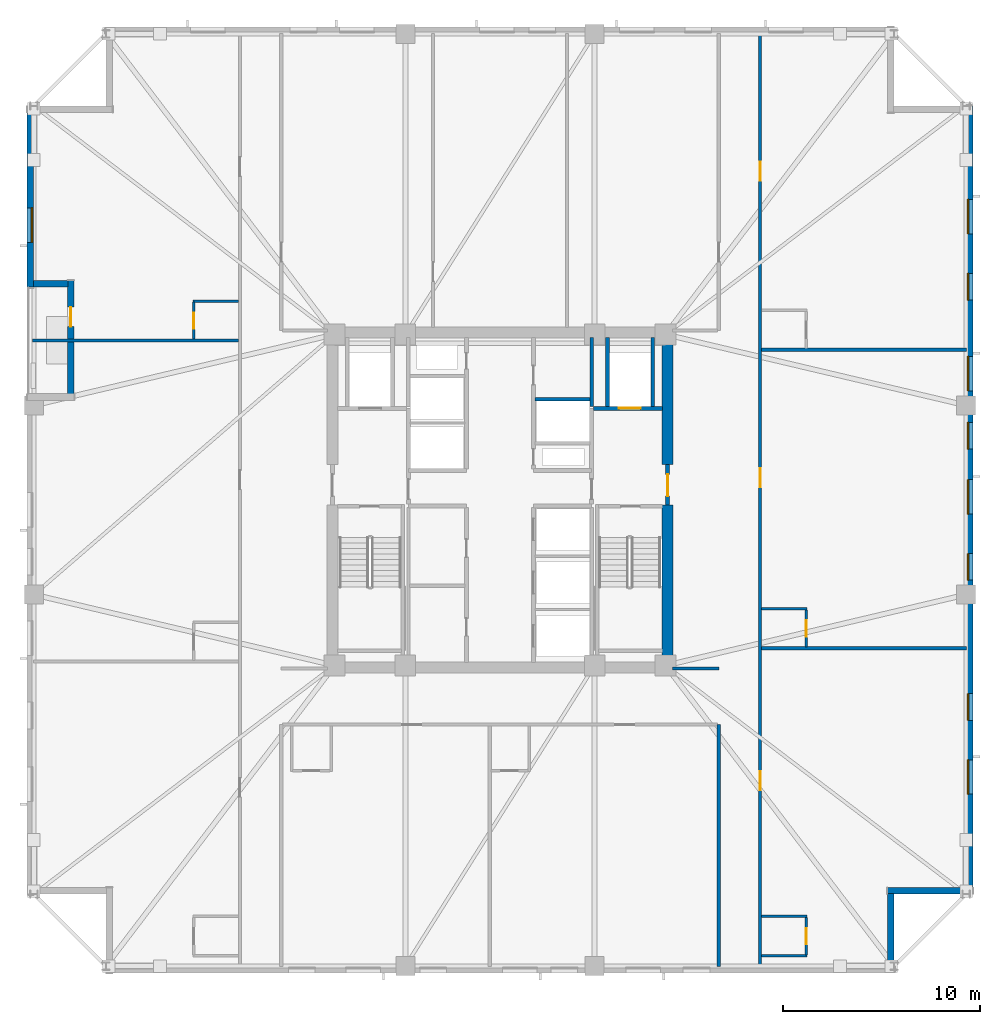
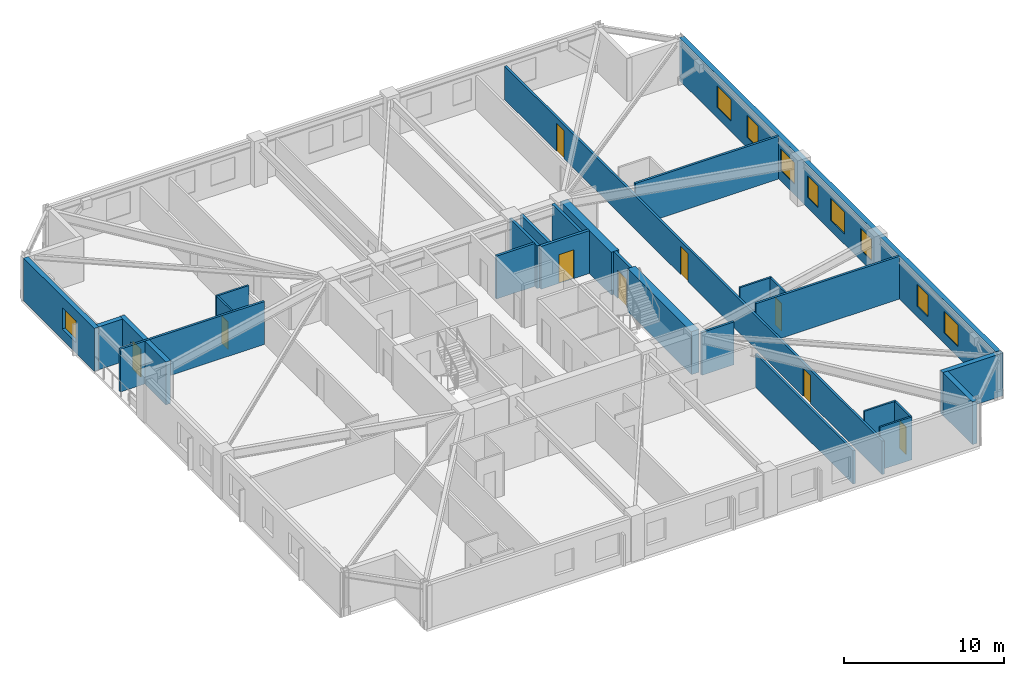
# One storey, part 4 of 10: 27 walls, 9 doors, 9 windows, 18 openings.
"""IFC4 building model written with IfcOpenShell, lengths in metres."""

from ifc_helpers import new_model, si_unit, direction, frame, frame_2d, origin, place, context, subcontext, project, spatial, rectangle, extrude, material, layer, layer_set, type_object, element, fill, save


model = new_model("IFC4")

# Units and contexts
model_context = context("Model", 3, precision=1e-05, world=origin(), true_north=direction((0.0, 1.0)))
body_context = subcontext(model_context, "Body", "Model", "MODEL_VIEW")
ifc_project = project(units=[si_unit("LENGTHUNIT", "METRE"), si_unit("AREAUNIT", "SQUARE_METRE"), si_unit("VOLUMEUNIT", "CUBIC_METRE"), si_unit("PLANEANGLEUNIT", "RADIAN"), si_unit("MASSUNIT", "GRAM", prefix="KILO")], contexts=[model_context])

# Site, building, storey
site_placement = place(None, origin())
site = spatial("IfcSite", under=ifc_project, at=site_placement, CompositionType="ELEMENT")
building_placement = place(site_placement, origin())
building = spatial("IfcBuilding", under=site, at=building_placement, Name="Cairnveth Concourse Tower", CompositionType="ELEMENT")
storey_placement = place(building_placement, frame((0.0, 0.0, 109.5)))
storey = spatial("IfcBuildingStorey", under=building, at=storey_placement, Name="L29", CompositionType="ELEMENT", Elevation=109.5)

# Wall, openings, doors
ifc_material_1 = material(Name="Gypsum Plasterboard Partition", Category="gypsum")
ifc_layer_1 = layer(ifc_material_1, 0.159912109375)
ifc_layer_set_1 = layer_set([ifc_layer_1], Name="Gypsum Plasterboard Partition")
wall_type_1 = type_object("IfcWallType", Name="ACOUSTIC PARTY WALL 180", PredefinedType="PARTITIONING", material=ifc_layer_set_1)
wall_1_placement = place(storey_placement, frame((65.199951171875, 15.324951171875, 0.0), z_axis=(0.0, 0.0, 1.0), x_axis=(0.0, 1.0, 0.0)))
wall_1 = element("IfcWall", 1, at=wall_1_placement, inside=storey, type_object=wall_type_1, Name="Interior Wall IW-L29-041", PredefinedType="PARTITIONING", context=body_context, shape_type="SweptSolid", body=[
    extrude(rectangle(XDim=47.35009765625, YDim=0.159912109375, at=frame_2d((23.675048828125, 0.0))), origin(), (0.0, 0.0, 1.0), 2.554931640625),
])
opening_1_placement = place(wall_1_placement, frame((8.944091796875, 0.0, 0.0)))
opening_1 = element("IfcOpeningElement", 2, at=opening_1_placement, cuts=wall_1, Name="Opening ID09", PredefinedType="OPENING", context=body_context, shape_type="SweptSolid", body=[
    extrude(rectangle(XDim=0.9599609375, YDim=2.14990234375, at=frame_2d((0.47998046875, 1.074951171875))), frame((0.0, 0.08984375, 0.0), z_axis=(0.0, -1.0, 0.0), x_axis=(1.0, 0.0, 0.0)), (0.0, 0.0, 1.0), 0.179931640625),
])
opening_2_placement = place(wall_1_placement, frame((24.322021484375, 0.0, 0.0)))
opening_2 = element("IfcOpeningElement", 3, at=opening_2_placement, cuts=wall_1, Name="Opening ID09", PredefinedType="OPENING", context=body_context, shape_type="SweptSolid", body=[
    extrude(rectangle(XDim=0.9599609375, YDim=2.14990234375, at=frame_2d((0.47998046875, 1.074951171875))), frame((0.0, 0.08984375, 0.0), z_axis=(0.0, -1.0, 0.0), x_axis=(1.0, 0.0, 0.0)), (0.0, 0.0, 1.0), 0.179931640625),
])
opening_3_placement = place(wall_1_placement, frame((39.873046875, 0.0, 0.0)))
opening_3 = element("IfcOpeningElement", 4, at=opening_3_placement, cuts=wall_1, Name="Opening ID09", PredefinedType="OPENING", context=body_context, shape_type="SweptSolid", body=[
    extrude(rectangle(XDim=0.9599609375, YDim=2.14990234375, at=frame_2d((0.47998046875, 1.074951171875))), frame((0.0, 0.08984375, 0.0), z_axis=(0.0, -1.0, 0.0), x_axis=(1.0, 0.0, 0.0)), (0.0, 0.0, 1.0), 0.179931640625),
])
ifc_material_2 = material(Name="Solid Core Hardwood Timber Leaf", Category="wood")
door_type_1 = type_object("IfcDoorType", Name="HOTEL ENTRANCE DOOR 960X2150", OperationType="NOTDEFINED", PredefinedType="DOOR", material=ifc_material_2)
door_1_placement = place(opening_1_placement, origin())
door_1 = element("IfcDoor", 5, at=door_1_placement, inside=storey, type_object=door_type_1, Name="Hotel Room Door L29-E1", OperationType="SINGLE_SWING_LEFT", OverallHeight=2.14990234375, OverallWidth=0.9599609375, PredefinedType="DOOR", context=body_context, shape_type="SweptSolid", body=[
    extrude(rectangle(XDim=0.9599609375, YDim=2.14990234375, at=frame_2d((0.47998046875, 1.074951171875))), frame((0.0, 0.02490234375, 0.0), z_axis=(0.0, -1.0, 0.0), x_axis=(1.0, 0.0, 0.0)), (0.0, 0.0, 1.0), 0.050048828125),
])
fill(opening_1, door_1)
door_2_placement = place(opening_2_placement, origin())
door_2 = element("IfcDoor", 6, at=door_2_placement, inside=storey, type_object=door_type_1, Name="Hotel Room Door L29-E2", OperationType="SINGLE_SWING_LEFT", OverallHeight=2.14990234375, OverallWidth=0.9599609375, PredefinedType="DOOR", context=body_context, shape_type="SweptSolid", body=[
    extrude(rectangle(XDim=0.9599609375, YDim=2.14990234375, at=frame_2d((0.47998046875, 1.074951171875))), frame((0.0, 0.02490234375, 0.0), z_axis=(0.0, -1.0, 0.0), x_axis=(1.0, 0.0, 0.0)), (0.0, 0.0, 1.0), 0.050048828125),
])
fill(opening_2, door_2)
door_3_placement = place(opening_3_placement, origin())
door_3 = element("IfcDoor", 7, at=door_3_placement, inside=storey, type_object=door_type_1, Name="Hotel Room Door L29-E3", OperationType="SINGLE_SWING_LEFT", OverallHeight=2.14990234375, OverallWidth=0.9599609375, PredefinedType="DOOR", context=body_context, shape_type="SweptSolid", body=[
    extrude(rectangle(XDim=0.9599609375, YDim=2.14990234375, at=frame_2d((0.47998046875, 1.074951171875))), frame((0.0, 0.02490234375, 0.0), z_axis=(0.0, -1.0, 0.0), x_axis=(1.0, 0.0, 0.0)), (0.0, 0.0, 1.0), 0.050048828125),
])
fill(opening_3, door_3)

# Walls
wall_2_placement = place(storey_placement, frame((63.10009765625, 15.324951171875, 0.0), z_axis=(0.0, 0.0, 1.0), x_axis=(0.0, 1.0, 0.0)))
element("IfcWall", 8, at=wall_2_placement, inside=storey, type_object=wall_type_1, Name="Interior Wall IW-L29-042", PredefinedType="PARTITIONING", context=body_context, shape_type="SweptSolid", body=[
    extrude(rectangle(XDim=12.275146484375, YDim=0.159912109375, at=frame_2d((6.1376953125, 0.0))), origin(), (0.0, 0.0, 1.0), 2.554931640625),
])
wall_3_placement = place(storey_placement, frame((60.764892578125, 30.449951171875, 0.0), z_axis=(0.0, 0.0, 1.0), x_axis=(1.0, 0.0, 0.0)))
element("IfcWall", 9, at=wall_3_placement, inside=storey, type_object=wall_type_1, Name="Interior Wall IW-L29-044", PredefinedType="PARTITIONING", context=body_context, shape_type="SweptSolid", body=[
    extrude(rectangle(XDim=2.335205078125, YDim=0.159912109375, at=frame_2d((1.16748046875, 0.0))), origin(), (0.0, 0.0, 1.0), 3.280029296875),
])
wall_4_placement = place(storey_placement, frame((28.27001953125, 47.093994140625, 0.0), z_axis=(0.0, 0.0, 1.0), x_axis=(1.0, 0.0, 0.0)))
element("IfcWall", 10, at=wall_4_placement, inside=storey, type_object=wall_type_1, Name="Interior Wall IW-L29-061", PredefinedType="PARTITIONING", context=body_context, shape_type="SweptSolid", body=[
    extrude(rectangle(XDim=10.449951171875, YDim=0.159912109375, at=frame_2d((5.22509765625, 0.0))), origin(), (0.0, 0.0, 1.0), 3.280029296875),
])
for number, where, z_axis, x_axis, name in (
    (11, (65.280029296875, 31.47802734375, 0.0), (0.0, 0.0, 1.0), (1.0, 0.0, 0.0), "Interior Wall IW-L29-067"),
    (12, (65.280029296875, 46.6259765625, 0.0), (0.0, 0.0, 1.0), (1.0, 0.0, 0.0), "Interior Wall IW-L29-070"),
):
    element("IfcWall", number, at=place(storey_placement, frame(where, z_axis=z_axis, x_axis=x_axis)), inside=storey, type_object=wall_type_1, Name=name, PredefinedType="PARTITIONING", context=body_context, shape_type="SweptSolid", body=[
        extrude(rectangle(XDim=10.39501953125, YDim=0.159912109375, at=frame_2d((5.197509765625, 0.0))), origin(), (0.0, 0.0, 1.0), 3.280029296875),
    ])
ifc_material_3 = material(Name="Concrete N80 (80 MPa)", Category="concrete")
ifc_layer_2 = layer(ifc_material_3, 0.550048828125)
ifc_layer_set_2 = layer_set([ifc_layer_2], Name="Concrete N80 (80 MPa)")
wall_type_2 = type_object("IfcWallType", Name="CORE SHEAR WALL 550", PredefinedType="SHEAR", material=ifc_layer_set_2)
wall_5_placement = place(storey_placement, frame((60.5, 30.764892578125, 0.0), z_axis=(0.0, 0.0, 1.0), x_axis=(0.0, 1.0, 0.0)))
element("IfcWall", 13, at=wall_5_placement, inside=storey, type_object=wall_type_2, Name="Core East Shear Wall S L29", PredefinedType="SHEAR", context=body_context, shape_type="SweptSolid", body=[
    extrude(rectangle(XDim=7.985107421875, YDim=0.550048828125, at=frame_2d((3.99267578125, 0.0))), origin(), (0.0, 0.0, 1.0), 3.280029296875),
])
wall_6_placement = place(storey_placement, frame((60.5, 40.800048828125, 0.0), z_axis=(0.0, 0.0, 1.0), x_axis=(0.0, 1.0, 0.0)))
element("IfcWall", 14, at=wall_6_placement, inside=storey, type_object=wall_type_2, Name="Core East Shear Wall N L29", PredefinedType="SHEAR", context=body_context, shape_type="SweptSolid", body=[
    extrude(rectangle(XDim=6.43505859375, YDim=0.550048828125, at=frame_2d((3.217529296875, 0.0))), origin(), (0.0, 0.0, 1.0), 3.280029296875),
])
ifc_material_4 = material(Name="Concrete N50 (50 MPa)", Category="concrete")
ifc_layer_3 = layer(ifc_material_4, 0.179931640625)
ifc_layer_set_3 = layer_set([ifc_layer_3], Name="Concrete N50 (50 MPa)")
wall_type_3 = type_object("IfcWallType", Name="FIRE SHAFT WALL 180", PredefinedType="SOLIDWALL", material=ifc_layer_set_3)
wall_7_placement = place(storey_placement, frame((56.64990234375, 43.735107421875, 0.0), z_axis=(0.0, 0.0, 1.0), x_axis=(0.0, 1.0, 0.0)))
element("IfcWall", 15, at=wall_7_placement, inside=storey, type_object=wall_type_3, Name="Interior Wall IW-L29-033", PredefinedType="SOLIDWALL", context=body_context, shape_type="SweptSolid", body=[
    extrude(rectangle(XDim=3.5048828125, YDim=0.179931640625, at=frame_2d((1.75244140625, 0.0))), origin(), (0.0, 0.0, 1.0), 3.280029296875),
])
wall_8_placement = place(storey_placement, frame((53.784912109375, 44.1201171875, 0.0), z_axis=(0.0, 0.0, 1.0), x_axis=(1.0, 0.0, 0.0)))
element("IfcWall", 16, at=wall_8_placement, inside=storey, type_object=wall_type_3, Name="Interior Wall IW-L29-035", PredefinedType="SOLIDWALL", context=body_context, shape_type="SweptSolid", body=[
    extrude(rectangle(XDim=2.7900390625, YDim=0.179931640625, at=frame_2d((1.39501953125, 0.0))), origin(), (0.0, 0.0, 1.0), 3.280029296875),
])

# Wall, opening, door
ifc_layer_4 = layer(ifc_material_4, 0.199951171875)
ifc_layer_set_4 = layer_set([ifc_layer_4], Name="Concrete N50 (50 MPa)")
wall_type_4 = type_object("IfcWallType", Name="FIRE SHAFT WALL 200", PredefinedType="SOLIDWALL", material=ifc_layer_set_4)
wall_9_placement = place(storey_placement, frame((60.5, 38.75, 0.0), z_axis=(0.0, 0.0, 1.0), x_axis=(0.0, 1.0, 0.0)))
wall_9 = element("IfcWall", 17, at=wall_9_placement, inside=storey, type_object=wall_type_4, Name="Interior Wall IW-L29-020", PredefinedType="SOLIDWALL", context=body_context, shape_type="SweptSolid", body=[
    extrude(rectangle(XDim=2.050048828125, YDim=0.199951171875, at=frame_2d((1.02490234375, 0.0))), origin(), (0.0, 0.0, 1.0), 3.280029296875),
])
opening_4_placement = place(wall_9_placement, frame((0.449951171875, 0.0, 0.0)))
opening_4 = element("IfcOpeningElement", 18, at=opening_4_placement, cuts=wall_9, Name="Opening ID06", PredefinedType="OPENING", context=body_context, shape_type="SweptSolid", body=[
    extrude(rectangle(XDim=1.10009765625, YDim=2.14990234375, at=frame_2d((0.550048828125, 1.074951171875))), frame((0.0, 0.10986328125, 0.0), z_axis=(0.0, -1.0, 0.0), x_axis=(1.0, 0.0, 0.0)), (0.0, 0.0, 1.0), 0.219970703125),
])
ifc_material_5 = material(Name="Steel Grade 350", Category="steel")
door_type_2 = type_object("IfcDoorType", Name="FIRE CORRIDOR DOOR 1100X2150", OperationType="NOTDEFINED", PredefinedType="DOOR", material=ifc_material_5)
door_4_placement = place(opening_4_placement, origin())
door_4 = element("IfcDoor", 19, at=door_4_placement, inside=storey, type_object=door_type_2, Name="East Wing to FF Lobby Door L29", OperationType="SINGLE_SWING_RIGHT", OverallHeight=2.14990234375, OverallWidth=1.10009765625, PredefinedType="DOOR", context=body_context, shape_type="SweptSolid", body=[
    extrude(rectangle(XDim=1.10009765625, YDim=2.14990234375, at=frame_2d((0.550048828125, 1.074951171875))), frame((0.0, 0.02490234375, 0.0), z_axis=(0.0, -1.0, 0.0), x_axis=(1.0, 0.0, 0.0)), (0.0, 0.0, 1.0), 0.050048828125),
])
fill(opening_4, door_4)

wall_10_placement = place(storey_placement, frame((56.735107421875, 43.64990234375, 0.0), z_axis=(0.0, 0.0, 1.0), x_axis=(1.0, 0.0, 0.0)))
wall_10 = element("IfcWall", 20, at=wall_10_placement, inside=storey, type_object=wall_type_4, Name="Interior Wall IW-L29-022", PredefinedType="SOLIDWALL", context=body_context, shape_type="SweptSolid", body=[
    extrude(rectangle(XDim=3.5048828125, YDim=0.199951171875, at=frame_2d((1.75244140625, 0.0))), origin(), (0.0, 0.0, 1.0), 3.280029296875),
])
opening_5_placement = place(wall_10_placement, frame((1.294921875, 0.0, 0.0)))
opening_5 = element("IfcOpeningElement", 21, at=opening_5_placement, cuts=wall_10, Name="Opening LD-1", PredefinedType="OPENING", context=body_context, shape_type="SweptSolid", body=[
    extrude(rectangle(XDim=1.10009765625, YDim=2.199951171875, at=frame_2d((0.550048828125, 1.10009765625))), frame((0.0, 0.10986328125, 0.0), z_axis=(0.0, -1.0, 0.0), x_axis=(1.0, 0.0, 0.0)), (0.0, 0.0, 1.0), 0.219970703125),
])
ifc_material_6 = material(Name="Architectural Bronze Anodised Aluminium 6063-T6", Category="aluminium")
door_type_3 = type_object("IfcDoorType", Name="LIFT LANDING DOOR 1100X2200", OperationType="SLIDING_TO_LEFT", PredefinedType="DOOR", material=ifc_material_6)
door_5_placement = place(opening_5_placement, origin())
door_5 = element("IfcDoor", 22, at=door_5_placement, inside=storey, type_object=door_type_3, Name="Lift FFL2 Landing Door L29", OperationType="SLIDING_TO_LEFT", OverallHeight=2.199951171875, OverallWidth=1.10009765625, PredefinedType="DOOR", context=body_context, shape_type="SweptSolid", body=[
    extrude(rectangle(XDim=1.10009765625, YDim=2.199951171875, at=frame_2d((0.550048828125, 1.10009765625))), frame((0.0, 0.02490234375, 0.0), z_axis=(0.0, -1.0, 0.0), x_axis=(1.0, 0.0, 0.0)), (0.0, 0.0, 1.0), 0.050048828125),
])
fill(opening_5, door_5)

# Walls
for number, where, z_axis, x_axis, name in (
    (23, (57.449951171875, 43.735107421875, 0.0), (0.0, 0.0, 1.0), (0.0, 1.0, 0.0), "Interior Wall IW-L29-023"),
    (24, (59.75, 43.735107421875, 0.0), (0.0, 0.0, 1.0), (0.0, 1.0, 0.0), "Interior Wall IW-L29-024"),
):
    element("IfcWall", number, at=place(storey_placement, frame(where, z_axis=z_axis, x_axis=x_axis)), inside=storey, type_object=wall_type_4, Name=name, PredefinedType="SOLIDWALL", context=body_context, shape_type="SweptSolid", body=[
        extrude(rectangle(XDim=3.5048828125, YDim=0.199951171875, at=frame_2d((1.75244140625, 0.0))), origin(), (0.0, 0.0, 1.0), 3.280029296875),
    ])
ifc_layer_5 = layer(ifc_material_1, 0.1298828125)
ifc_layer_set_5 = layer_set([ifc_layer_5], Name="Gypsum Plasterboard Partition")
wall_type_5 = type_object("IfcWallType", Name="WET AREA PARTITION 140", PredefinedType="PLUMBINGWALL", material=ifc_layer_set_5)
wall_11_placement = place(storey_placement, frame((36.419921875, 49.093994140625, 0.0), z_axis=(0.0, 0.0, 1.0), x_axis=(1.0, 0.0, 0.0)))
element("IfcWall", 25, at=wall_11_placement, inside=storey, type_object=wall_type_5, Name="Interior Wall IW-L29-062", PredefinedType="PLUMBINGWALL", context=body_context, shape_type="SweptSolid", body=[
    extrude(rectangle(XDim=2.315185546875, YDim=0.1298828125, at=frame_2d((1.15771484375, 0.0))), origin(), (0.0, 0.0, 1.0), 3.280029296875),
])

# Wall, opening, door
wall_12_placement = place(storey_placement, frame((36.469970703125, 47.158935546875, 0.0), z_axis=(0.0, 0.0, 1.0), x_axis=(0.0, 1.0, 0.0)))
wall_12 = element("IfcWall", 26, at=wall_12_placement, inside=storey, type_object=wall_type_5, Name="Interior Wall IW-L29-063", PredefinedType="PLUMBINGWALL", context=body_context, shape_type="SweptSolid", body=[
    extrude(rectangle(XDim=1.885009765625, YDim=0.1298828125, at=frame_2d((0.9423828125, 0.0))), origin(), (0.0, 0.0, 1.0), 3.280029296875),
])
opening_6_placement = place(wall_12_placement, frame((0.52490234375, 0.0, 0.0)))
opening_6 = element("IfcOpeningElement", 27, at=opening_6_placement, cuts=wall_12, Name="Opening ID22", PredefinedType="OPENING", context=body_context, shape_type="SweptSolid", body=[
    extrude(rectangle(XDim=0.820068359375, YDim=2.10009765625, at=frame_2d((0.41015625, 1.050048828125))), frame((0.0, 0.074951171875, 0.0), z_axis=(0.0, -1.0, 0.0), x_axis=(1.0, 0.0, 0.0)), (0.0, 0.0, 1.0), 0.14990234375),
])
door_type_4 = type_object("IfcDoorType", Name="INTERIOR WC DOOR 820X2100", OperationType="NOTDEFINED", PredefinedType="DOOR", material=ifc_material_2)
door_6_placement = place(opening_6_placement, origin())
door_6 = element("IfcDoor", 28, at=door_6_placement, inside=storey, type_object=door_type_4, Name="En-Suite Door L29-W3", OperationType="SINGLE_SWING_RIGHT", OverallHeight=2.10009765625, OverallWidth=0.820068359375, PredefinedType="DOOR", context=body_context, shape_type="SweptSolid", body=[
    extrude(rectangle(XDim=0.820068359375, YDim=2.10009765625, at=frame_2d((0.41015625, 1.050048828125))), frame((0.0, 0.02490234375, 0.0), z_axis=(0.0, -1.0, 0.0), x_axis=(1.0, 0.0, 0.0)), (0.0, 0.0, 1.0), 0.050048828125),
])
fill(opening_6, door_6)

# Walls
for number, where, z_axis, x_axis, name in (
    (29, (65.264892578125, 15.8701171875, 0.0), (0.0, 0.0, 1.0), (1.0, 0.0, 0.0), "Interior Wall IW-L29-064"),
    (30, (65.264892578125, 17.8701171875, 0.0), (0.0, 0.0, 1.0), (1.0, 0.0, 0.0), "Interior Wall IW-L29-065"),
):
    element("IfcWall", number, at=place(storey_placement, frame(where, z_axis=z_axis, x_axis=x_axis)), inside=storey, type_object=wall_type_5, Name=name, PredefinedType="PLUMBINGWALL", context=body_context, shape_type="SweptSolid", body=[
        extrude(rectangle(XDim=2.315185546875, YDim=0.1298828125, at=frame_2d((1.15771484375, 0.0))), origin(), (0.0, 0.0, 1.0), 3.280029296875),
    ])

# Wall, opening, door
wall_13_placement = place(storey_placement, frame((67.530029296875, 15.919921875, 0.0), z_axis=(0.0, 0.0, 1.0), x_axis=(0.0, 1.0, 0.0)))
wall_13 = element("IfcWall", 31, at=wall_13_placement, inside=storey, type_object=wall_type_5, Name="Interior Wall IW-L29-066", PredefinedType="PLUMBINGWALL", context=body_context, shape_type="SweptSolid", body=[
    extrude(rectangle(XDim=1.900146484375, YDim=0.1298828125, at=frame_2d((0.9501953125, 0.0))), origin(), (0.0, 0.0, 1.0), 3.280029296875),
])
opening_7_placement = place(wall_13_placement, frame((0.5400390625, 0.0, 0.0)))
opening_7 = element("IfcOpeningElement", 32, at=opening_7_placement, cuts=wall_13, Name="Opening ID22", PredefinedType="OPENING", context=body_context, shape_type="SweptSolid", body=[
    extrude(rectangle(XDim=0.820068359375, YDim=2.10009765625, at=frame_2d((0.41015625, 1.050048828125))), frame((0.0, 0.074951171875, 0.0), z_axis=(0.0, -1.0, 0.0), x_axis=(1.0, 0.0, 0.0)), (0.0, 0.0, 1.0), 0.14990234375),
])
door_7_placement = place(opening_7_placement, origin())
door_7 = element("IfcDoor", 33, at=door_7_placement, inside=storey, type_object=door_type_4, Name="En-Suite Door L29-E1", OperationType="SINGLE_SWING_RIGHT", OverallHeight=2.10009765625, OverallWidth=0.820068359375, PredefinedType="DOOR", context=body_context, shape_type="SweptSolid", body=[
    extrude(rectangle(XDim=0.820068359375, YDim=2.10009765625, at=frame_2d((0.41015625, 1.050048828125))), frame((0.0, 0.02490234375, 0.0), z_axis=(0.0, -1.0, 0.0), x_axis=(1.0, 0.0, 0.0)), (0.0, 0.0, 1.0), 0.050048828125),
])
fill(opening_7, door_7)

# Wall
wall_14_placement = place(storey_placement, frame((65.264892578125, 33.47802734375, 0.0), z_axis=(0.0, 0.0, 1.0), x_axis=(1.0, 0.0, 0.0)))
element("IfcWall", 34, at=wall_14_placement, inside=storey, type_object=wall_type_5, Name="Interior Wall IW-L29-068", PredefinedType="PLUMBINGWALL", context=body_context, shape_type="SweptSolid", body=[
    extrude(rectangle(XDim=2.315185546875, YDim=0.1298828125, at=frame_2d((1.15771484375, 0.0))), origin(), (0.0, 0.0, 1.0), 3.280029296875),
])

# Wall, opening, door
wall_15_placement = place(storey_placement, frame((67.530029296875, 31.54296875, 0.0), z_axis=(0.0, 0.0, 1.0), x_axis=(0.0, 1.0, 0.0)))
wall_15 = element("IfcWall", 35, at=wall_15_placement, inside=storey, type_object=wall_type_5, Name="Interior Wall IW-L29-069", PredefinedType="PLUMBINGWALL", context=body_context, shape_type="SweptSolid", body=[
    extrude(rectangle(XDim=1.885009765625, YDim=0.1298828125, at=frame_2d((0.9423828125, 0.0))), origin(), (0.0, 0.0, 1.0), 3.280029296875),
])
opening_8_placement = place(wall_15_placement, frame((0.52490234375, 0.0, 0.0)))
opening_8 = element("IfcOpeningElement", 36, at=opening_8_placement, cuts=wall_15, Name="Opening ID22", PredefinedType="OPENING", context=body_context, shape_type="SweptSolid", body=[
    extrude(rectangle(XDim=0.820068359375, YDim=2.10009765625, at=frame_2d((0.41015625, 1.050048828125))), frame((0.0, 0.074951171875, 0.0), z_axis=(0.0, -1.0, 0.0), x_axis=(1.0, 0.0, 0.0)), (0.0, 0.0, 1.0), 0.14990234375),
])
door_8_placement = place(opening_8_placement, origin())
door_8 = element("IfcDoor", 37, at=door_8_placement, inside=storey, type_object=door_type_4, Name="En-Suite Door L29-E2", OperationType="SINGLE_SWING_RIGHT", OverallHeight=2.10009765625, OverallWidth=0.820068359375, PredefinedType="DOOR", context=body_context, shape_type="SweptSolid", body=[
    extrude(rectangle(XDim=0.820068359375, YDim=2.10009765625, at=frame_2d((0.41015625, 1.050048828125))), frame((0.0, 0.02490234375, 0.0), z_axis=(0.0, -1.0, 0.0), x_axis=(1.0, 0.0, 0.0)), (0.0, 0.0, 1.0), 0.050048828125),
])
fill(opening_8, door_8)

# Wall, opening, window
ifc_material_7 = material(Name="Hawthorn Red-Ochre Fired Clay Brick Masonry", Category="masonry")
ifc_layer_6 = layer(ifc_material_7, 0.340087890625)
ifc_layer_set_6 = layer_set([ifc_layer_6], Name="Hawthorn Red-Ochre Fired Clay Brick Masonry")
wall_type_6 = type_object("IfcWallType", Name="ZONE 2 BRICK PIER SPANDREL WALL 340", PredefinedType="SOLIDWALL", material=ifc_layer_set_6)
wall_16_placement = place(storey_placement, frame((28.169921875, 49.800048828125, 0.0), z_axis=(0.0, 0.0, 1.0), x_axis=(0.0, 1.0, 0.0)))
wall_16 = element("IfcWall", 38, at=wall_16_placement, inside=storey, type_object=wall_type_6, Name="Exterior Wall EW-L29-S00", PredefinedType="SOLIDWALL", context=body_context, shape_type="SweptSolid", body=[
    extrude(rectangle(XDim=8.8818359375, YDim=0.340087890625, at=frame_2d((4.44091796875, 0.0))), origin(), (0.0, 0.0, 1.0), 3.280029296875),
])
opening_9_placement = place(wall_16_placement, frame((2.26611328125, 0.0, 0.800048828125)))
opening_9 = element("IfcOpeningElement", 39, at=opening_9_placement, cuts=wall_16, Name="Opening W06", PredefinedType="OPENING", context=body_context, shape_type="SweptSolid", body=[
    extrude(rectangle(XDim=1.75, YDim=1.659912109375, at=frame_2d((0.875, 0.830078125))), frame((0.0, 0.179931640625, 0.0), z_axis=(0.0, -1.0, 0.0), x_axis=(1.0, 0.0, 0.0)), (0.0, 0.0, 1.0), 0.360107421875),
])
ifc_material_8 = material(Name="Double Glazed Low-E Clear Glass", Category="glass")
window_type_1 = type_object("IfcWindowType", Name="DEEP-SET HOTEL SUITE WINDOW 1750X1800", PartitioningType="DOUBLE_PANEL_VERTICAL", PredefinedType="WINDOW", material=ifc_material_8)
window_1_placement = place(opening_9_placement, origin())
window_1 = element("IfcWindow", 40, at=window_1_placement, inside=storey, type_object=window_type_1, Name="Gothic Lancet Window L29-0-1", OverallHeight=1.659912109375, OverallWidth=1.75, PartitioningType="SINGLE_PANEL", PredefinedType="WINDOW", context=body_context, shape_type="SweptSolid", body=[
    extrude(rectangle(XDim=1.75, YDim=1.659912109375, at=frame_2d((0.875, 0.830078125))), frame((0.0, -0.050048828125, 0.0), z_axis=(0.0, -1.0, 0.0), x_axis=(1.0, 0.0, 0.0)), (0.0, 0.0, 1.0), 0.06005859375),
])
fill(opening_9, window_1)

# Wall, openings, windows
wall_17_placement = place(storey_placement, frame((75.830078125, 59.0, 0.0), z_axis=(0.0, 0.0, 1.0), x_axis=(0.0, -1.0, 0.0)))
wall_17 = element("IfcWall", 41, at=wall_17_placement, inside=storey, type_object=wall_type_6, Name="Exterior Wall EW-L29-S06", PredefinedType="SOLIDWALL", context=body_context, shape_type="SweptSolid", body=[
    extrude(rectangle(XDim=39.681884765625, YDim=0.340087890625, at=frame_2d((19.8408203125, 0.0))), origin(), (0.0, 0.0, 1.0), 3.280029296875),
])
opening_10_placement = place(wall_17_placement, frame((4.751708984375, 0.0, 0.800048828125)))
opening_10 = element("IfcOpeningElement", 42, at=opening_10_placement, cuts=wall_17, Name="Opening W06", PredefinedType="OPENING", context=body_context, shape_type="SweptSolid", body=[
    extrude(rectangle(XDim=1.75, YDim=1.659912109375, at=frame_2d((0.875, 0.830078125))), frame((0.0, 0.179931640625, 0.0), z_axis=(0.0, -1.0, 0.0), x_axis=(1.0, 0.0, 0.0)), (0.0, 0.0, 1.0), 0.360107421875),
])
opening_11_placement = place(wall_17_placement, frame((8.50537109375, 0.0, 0.800048828125)))
opening_11 = element("IfcOpeningElement", 43, at=opening_11_placement, cuts=wall_17, Name="Opening W02", PredefinedType="OPENING", context=body_context, shape_type="SweptSolid", body=[
    extrude(rectangle(XDim=1.35009765625, YDim=1.659912109375, at=frame_2d((0.675048828125, 0.830078125))), frame((0.0, 0.179931640625, 0.0), z_axis=(0.0, -1.0, 0.0), x_axis=(1.0, 0.0, 0.0)), (0.0, 0.0, 1.0), 0.360107421875),
])
opening_12_placement = place(wall_17_placement, frame((12.708984375, 0.0, 0.800048828125)))
opening_12 = element("IfcOpeningElement", 44, at=opening_12_placement, cuts=wall_17, Name="Opening W06", PredefinedType="OPENING", context=body_context, shape_type="SweptSolid", body=[
    extrude(rectangle(XDim=1.75, YDim=1.659912109375, at=frame_2d((0.875, 0.830078125))), frame((0.0, 0.179931640625, 0.0), z_axis=(0.0, -1.0, 0.0), x_axis=(1.0, 0.0, 0.0)), (0.0, 0.0, 1.0), 0.360107421875),
])
opening_13_placement = place(wall_17_placement, frame((16.0625, 0.0, 0.800048828125)))
opening_13 = element("IfcOpeningElement", 45, at=opening_13_placement, cuts=wall_17, Name="Opening W02", PredefinedType="OPENING", context=body_context, shape_type="SweptSolid", body=[
    extrude(rectangle(XDim=1.35009765625, YDim=1.659912109375, at=frame_2d((0.675048828125, 0.830078125))), frame((0.0, 0.179931640625, 0.0), z_axis=(0.0, -1.0, 0.0), x_axis=(1.0, 0.0, 0.0)), (0.0, 0.0, 1.0), 0.360107421875),
])
opening_14_placement = place(wall_17_placement, frame((18.966064453125, 0.0, 0.800048828125)))
opening_14 = element("IfcOpeningElement", 46, at=opening_14_placement, cuts=wall_17, Name="Opening W06", PredefinedType="OPENING", context=body_context, shape_type="SweptSolid", body=[
    extrude(rectangle(XDim=1.75, YDim=1.659912109375, at=frame_2d((0.875, 0.830078125))), frame((0.0, 0.179931640625, 0.0), z_axis=(0.0, -1.0, 0.0), x_axis=(1.0, 0.0, 0.0)), (0.0, 0.0, 1.0), 0.360107421875),
])
opening_15_placement = place(wall_17_placement, frame((22.719482421875, 0.0, 0.800048828125)))
opening_15 = element("IfcOpeningElement", 47, at=opening_15_placement, cuts=wall_17, Name="Opening W02", PredefinedType="OPENING", context=body_context, shape_type="SweptSolid", body=[
    extrude(rectangle(XDim=1.35009765625, YDim=1.659912109375, at=frame_2d((0.675048828125, 0.830078125))), frame((0.0, 0.179931640625, 0.0), z_axis=(0.0, -1.0, 0.0), x_axis=(1.0, 0.0, 0.0)), (0.0, 0.0, 1.0), 0.360107421875),
])
opening_16_placement = place(wall_17_placement, frame((29.82666015625, 0.0, 0.800048828125)))
opening_16 = element("IfcOpeningElement", 48, at=opening_16_placement, cuts=wall_17, Name="Opening W02", PredefinedType="OPENING", context=body_context, shape_type="SweptSolid", body=[
    extrude(rectangle(XDim=1.35009765625, YDim=1.659912109375, at=frame_2d((0.675048828125, 0.830078125))), frame((0.0, 0.179931640625, 0.0), z_axis=(0.0, -1.0, 0.0), x_axis=(1.0, 0.0, 0.0)), (0.0, 0.0, 1.0), 0.360107421875),
])
opening_17_placement = place(wall_17_placement, frame((33.18017578125, 0.0, 0.800048828125)))
opening_17 = element("IfcOpeningElement", 49, at=opening_17_placement, cuts=wall_17, Name="Opening W06", PredefinedType="OPENING", context=body_context, shape_type="SweptSolid", body=[
    extrude(rectangle(XDim=1.75, YDim=1.659912109375, at=frame_2d((0.875, 0.830078125))), frame((0.0, 0.179931640625, 0.0), z_axis=(0.0, -1.0, 0.0), x_axis=(1.0, 0.0, 0.0)), (0.0, 0.0, 1.0), 0.360107421875),
])
window_type_2 = type_object("IfcWindowType", Name="DEEP-SET GOTHIC LANCET WINDOW 1350X1800", PartitioningType="DOUBLE_PANEL_VERTICAL", PredefinedType="WINDOW", material=ifc_material_8)
window_2_placement = place(opening_11_placement, origin())
window_2 = element("IfcWindow", 50, at=window_2_placement, inside=storey, type_object=window_type_2, Name="Gothic Lancet Window L29-6-2", OverallHeight=1.659912109375, OverallWidth=1.35009765625, PartitioningType="SINGLE_PANEL", PredefinedType="WINDOW", context=body_context, shape_type="SweptSolid", body=[
    extrude(rectangle(XDim=1.35009765625, YDim=1.659912109375, at=frame_2d((0.675048828125, 0.830078125))), frame((0.0, -0.050048828125, 0.0), z_axis=(0.0, -1.0, 0.0), x_axis=(1.0, 0.0, 0.0)), (0.0, 0.0, 1.0), 0.06005859375),
])
fill(opening_11, window_2)
window_3_placement = place(opening_13_placement, origin())
window_3 = element("IfcWindow", 51, at=window_3_placement, inside=storey, type_object=window_type_2, Name="Gothic Lancet Window L29-6-4", OverallHeight=1.659912109375, OverallWidth=1.35009765625, PartitioningType="SINGLE_PANEL", PredefinedType="WINDOW", context=body_context, shape_type="SweptSolid", body=[
    extrude(rectangle(XDim=1.35009765625, YDim=1.659912109375, at=frame_2d((0.675048828125, 0.830078125))), frame((0.0, -0.050048828125, 0.0), z_axis=(0.0, -1.0, 0.0), x_axis=(1.0, 0.0, 0.0)), (0.0, 0.0, 1.0), 0.06005859375),
])
fill(opening_13, window_3)
window_4_placement = place(opening_15_placement, origin())
window_4 = element("IfcWindow", 52, at=window_4_placement, inside=storey, type_object=window_type_2, Name="Gothic Lancet Window L29-6-6", OverallHeight=1.659912109375, OverallWidth=1.35009765625, PartitioningType="SINGLE_PANEL", PredefinedType="WINDOW", context=body_context, shape_type="SweptSolid", body=[
    extrude(rectangle(XDim=1.35009765625, YDim=1.659912109375, at=frame_2d((0.675048828125, 0.830078125))), frame((0.0, -0.050048828125, 0.0), z_axis=(0.0, -1.0, 0.0), x_axis=(1.0, 0.0, 0.0)), (0.0, 0.0, 1.0), 0.06005859375),
])
fill(opening_15, window_4)
window_5_placement = place(opening_16_placement, origin())
window_5 = element("IfcWindow", 53, at=window_5_placement, inside=storey, type_object=window_type_2, Name="Gothic Lancet Window L29-6-8", OverallHeight=1.659912109375, OverallWidth=1.35009765625, PartitioningType="SINGLE_PANEL", PredefinedType="WINDOW", context=body_context, shape_type="SweptSolid", body=[
    extrude(rectangle(XDim=1.35009765625, YDim=1.659912109375, at=frame_2d((0.675048828125, 0.830078125))), frame((0.0, -0.050048828125, 0.0), z_axis=(0.0, -1.0, 0.0), x_axis=(1.0, 0.0, 0.0)), (0.0, 0.0, 1.0), 0.06005859375),
])
fill(opening_16, window_5)
window_6_placement = place(opening_10_placement, origin())
window_6 = element("IfcWindow", 54, at=window_6_placement, inside=storey, type_object=window_type_1, Name="Gothic Lancet Window L29-6-1", OverallHeight=1.659912109375, OverallWidth=1.75, PartitioningType="SINGLE_PANEL", PredefinedType="WINDOW", context=body_context, shape_type="SweptSolid", body=[
    extrude(rectangle(XDim=1.75, YDim=1.659912109375, at=frame_2d((0.875, 0.830078125))), frame((0.0, -0.050048828125, 0.0), z_axis=(0.0, -1.0, 0.0), x_axis=(1.0, 0.0, 0.0)), (0.0, 0.0, 1.0), 0.06005859375),
])
fill(opening_10, window_6)
window_7_placement = place(opening_12_placement, origin())
window_7 = element("IfcWindow", 55, at=window_7_placement, inside=storey, type_object=window_type_1, Name="Gothic Lancet Window L29-6-3", OverallHeight=1.659912109375, OverallWidth=1.75, PartitioningType="SINGLE_PANEL", PredefinedType="WINDOW", context=body_context, shape_type="SweptSolid", body=[
    extrude(rectangle(XDim=1.75, YDim=1.659912109375, at=frame_2d((0.875, 0.830078125))), frame((0.0, -0.050048828125, 0.0), z_axis=(0.0, -1.0, 0.0), x_axis=(1.0, 0.0, 0.0)), (0.0, 0.0, 1.0), 0.06005859375),
])
fill(opening_12, window_7)
window_8_placement = place(opening_14_placement, origin())
window_8 = element("IfcWindow", 56, at=window_8_placement, inside=storey, type_object=window_type_1, Name="Gothic Lancet Window L29-6-5", OverallHeight=1.659912109375, OverallWidth=1.75, PartitioningType="SINGLE_PANEL", PredefinedType="WINDOW", context=body_context, shape_type="SweptSolid", body=[
    extrude(rectangle(XDim=1.75, YDim=1.659912109375, at=frame_2d((0.875, 0.830078125))), frame((0.0, -0.050048828125, 0.0), z_axis=(0.0, -1.0, 0.0), x_axis=(1.0, 0.0, 0.0)), (0.0, 0.0, 1.0), 0.06005859375),
])
fill(opening_14, window_8)
window_9_placement = place(opening_17_placement, origin())
window_9 = element("IfcWindow", 57, at=window_9_placement, inside=storey, type_object=window_type_1, Name="Gothic Lancet Window L29-6-9", OverallHeight=1.659912109375, OverallWidth=1.75, PartitioningType="SINGLE_PANEL", PredefinedType="WINDOW", context=body_context, shape_type="SweptSolid", body=[
    extrude(rectangle(XDim=1.75, YDim=1.659912109375, at=frame_2d((0.875, 0.830078125))), frame((0.0, -0.050048828125, 0.0), z_axis=(0.0, -1.0, 0.0), x_axis=(1.0, 0.0, 0.0)), (0.0, 0.0, 1.0), 0.06005859375),
])
fill(opening_17, window_9)

# Walls
wall_18_placement = place(storey_placement, frame((76.0, 19.169921875, 0.0), z_axis=(0.0, 0.0, 1.0), x_axis=(-1.0, 0.0, 0.0)))
element("IfcWall", 58, at=wall_18_placement, inside=storey, type_object=wall_type_6, Name="Exterior Wall EW-L29-S07", PredefinedType="SOLIDWALL", context=body_context, shape_type="SweptSolid", body=[
    extrude(rectangle(XDim=4.340087890625, YDim=0.340087890625, at=frame_2d((2.169921875, 0.0))), origin(), (0.0, 0.0, 1.0), 3.280029296875),
])
wall_19_placement = place(storey_placement, frame((71.830078125, 19.02197265625, 0.0), z_axis=(0.0, 0.0, 1.0), x_axis=(0.0, -1.0, 0.0)))
element("IfcWall", 59, at=wall_19_placement, inside=storey, type_object=wall_type_6, Name="Exterior Wall EW-L29-S08", PredefinedType="SOLIDWALL", context=body_context, shape_type="SweptSolid", body=[
    extrude(rectangle(XDim=3.703857421875, YDim=0.340087890625, at=frame_2d((1.85205078125, 0.0))), origin(), (0.0, 0.0, 1.0), 3.280029296875),
])

# Wall, opening, door
wall_20_placement = place(storey_placement, frame((30.219970703125, 44.3779296875, 0.0), z_axis=(0.0, 0.0, 1.0), x_axis=(0.0, 1.0, 0.0)))
wall_20 = element("IfcWall", 60, at=wall_20_placement, inside=storey, type_object=wall_type_6, Name="Exterior Wall EW-L29-S14", PredefinedType="SOLIDWALL", context=body_context, shape_type="SweptSolid", body=[
    extrude(rectangle(XDim=5.761962890625, YDim=0.340087890625, at=frame_2d((2.880859375, 0.0))), origin(), (0.0, 0.0, 1.0), 3.280029296875),
])
opening_18_placement = place(wall_20_placement, frame((3.4140625, 0.0, 0.0)))
opening_18 = element("IfcOpeningElement", 61, at=opening_18_placement, cuts=wall_20, Name="Opening ED4", PredefinedType="OPENING", context=body_context, shape_type="SweptSolid", body=[
    extrude(rectangle(XDim=1.0, YDim=2.14990234375, at=frame_2d((0.5, 1.074951171875))), frame((0.0, 0.179931640625, 0.0), z_axis=(0.0, -1.0, 0.0), x_axis=(1.0, 0.0, 0.0)), (0.0, 0.0, 1.0), 0.360107421875),
])
door_type_5 = type_object("IfcDoorType", Name="TERRACE GLAZED DOOR 1000X2150", OperationType="NOTDEFINED", PredefinedType="DOOR", material=ifc_material_6)
door_9_placement = place(opening_18_placement, origin())
door_9 = element("IfcDoor", 62, at=door_9_placement, inside=storey, type_object=door_type_5, Name="Spiral Terrace Door L29", OperationType="SINGLE_SWING_RIGHT", OverallHeight=2.14990234375, OverallWidth=1.0, PredefinedType="DOOR", context=body_context, shape_type="SweptSolid", body=[
    extrude(rectangle(XDim=1.0, YDim=2.14990234375, at=frame_2d((0.5, 1.074951171875))), frame((0.0, 0.02490234375, 0.0), z_axis=(0.0, -1.0, 0.0), x_axis=(1.0, 0.0, 0.0)), (0.0, 0.0, 1.0), 0.050048828125),
])
fill(opening_18, door_9)

# Wall
wall_21_placement = place(storey_placement, frame((30.072021484375, 49.969970703125, 0.0), z_axis=(0.0, 0.0, 1.0), x_axis=(-1.0, 0.0, 0.0)))
element("IfcWall", 63, at=wall_21_placement, inside=storey, type_object=wall_type_6, Name="Exterior Wall EW-L29-S15", PredefinedType="SOLIDWALL", context=body_context, shape_type="SweptSolid", body=[
    extrude(rectangle(XDim=1.75390625, YDim=0.340087890625, at=frame_2d((0.876953125, 0.0))), origin(), (0.0, 0.0, 1.0), 3.280029296875),
])

save(model, "model.ifc")
